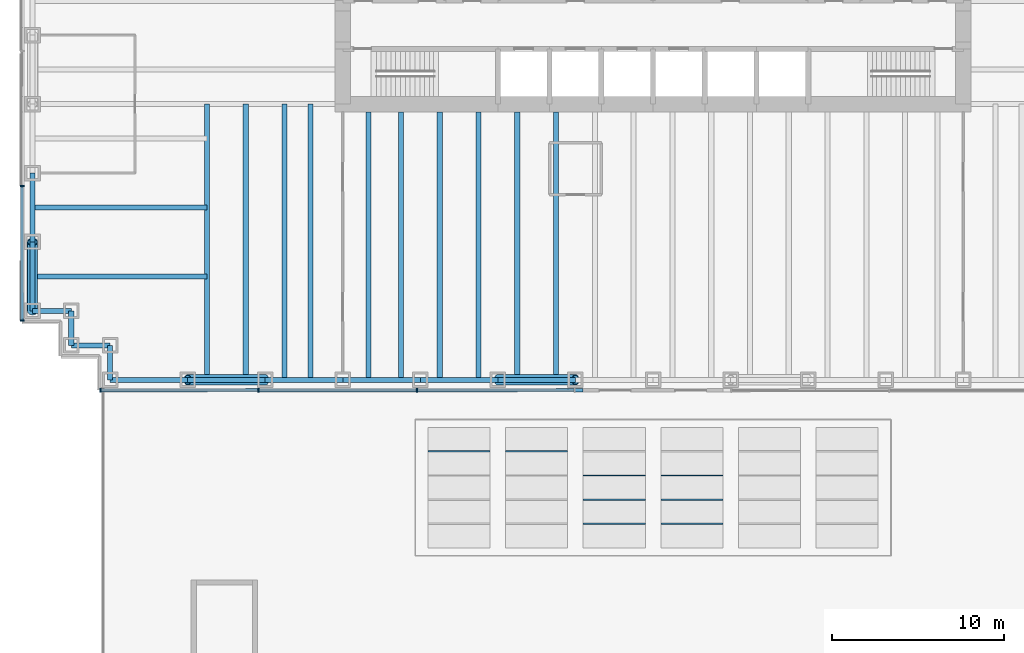
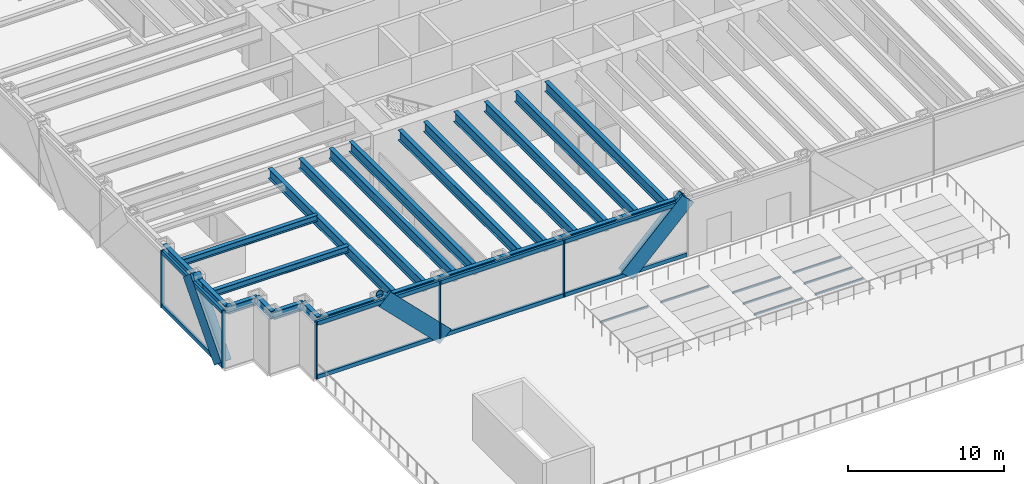
# One storey, part 2 of 15: 27 members, 24 beams, 2 elements without a shape of their own.
"""IFC4 building model written with IfcOpenShell, lengths in metres."""

from ifc_helpers import new_model, si_unit, direction, frame, origin, origin_2d, place, context, subcontext, project, spatial, rectangle, hollow_rectangle, hollow_circle, i_section, extrude, material, material_profile, profile_set, type_object, element, aggregate, save


model = new_model("IFC4")

# Units and contexts
model_context = context("Model", 3, precision=1e-05, world=origin(), true_north=direction((0.0, 1.0)))
body_context = subcontext(model_context, "Body", "Model", "MODEL_VIEW")
ifc_project = project(units=[si_unit("LENGTHUNIT", "METRE"), si_unit("AREAUNIT", "SQUARE_METRE"), si_unit("VOLUMEUNIT", "CUBIC_METRE"), si_unit("PLANEANGLEUNIT", "RADIAN"), si_unit("MASSUNIT", "GRAM", prefix="KILO")], contexts=[model_context])

# Site, building, storey
site_placement = place(None, origin())
site = spatial("IfcSite", under=ifc_project, at=site_placement, CompositionType="ELEMENT")
building_placement = place(site_placement, origin())
building = spatial("IfcBuilding", under=site, at=building_placement, Name="Rheinbord Bourse Tower", CompositionType="ELEMENT")
storey_placement = place(building_placement, frame((0.0, 0.0, 23.0)))
storey = spatial("IfcBuildingStorey", under=building, at=storey_placement, Name="L04", CompositionType="ELEMENT", Elevation=23.0)

# Curtain wall, members
ifc_material_1 = material(Name="Dark glass and black aluminium", Category="aluminium")
curtain_wall_type = type_object("IfcCurtainWallType", Name="CW1 DARK GLASS CURTAIN WALL", PredefinedType="USERDEFINED", material=ifc_material_1)
curtain_wall_1_placement = place(storey_placement, origin())
curtain_wall_1 = element("IfcCurtainWall", 1, at=curtain_wall_1_placement, inside=storey, type_object=curtain_wall_type, Name="Curtain wall CW1 S L04", ObjectType="UNITISED CURTAIN WALL", PredefinedType="USERDEFINED")
ifc_material_2 = material(Name="Black anodised aluminium", Category="aluminium")
ifc_material_profile_1 = material_profile(ifc_material_2, rectangle(XDim=0.179931640625, YDim=1.2099609375, at=origin_2d()), Name="CW1 DIAGONAL MULLION 1210x180")
ifc_profile_set_1 = profile_set([ifc_material_profile_1], Name="Black anodised aluminium")
member_type_1 = type_object("IfcMemberType", Name="CW1 BLACK DIAGONAL MULLION", PredefinedType="USERDEFINED", material=ifc_profile_set_1)
member_1_placement = place(storey_placement, frame((27.0, -0.60009765625, 0.0), z_axis=(0.707106781187, 0.0, 0.707106781187), x_axis=(0.0, 1.0, 0.0)))
member_1 = element("IfcMember", 2, at=member_1_placement, type_object=member_type_1, Name="CW1 diagonal mullion a", ObjectType="DIAGONAL MULLION", PredefinedType="USERDEFINED", context=body_context, shape_type="SweptSolid", body=[
    extrude(rectangle(XDim=0.179931640625, YDim=1.2099609375, at=origin_2d()), origin(), (0.0, 0.0, 1.0), 6.364013671875),
])
member_2_placement = place(storey_placement, frame((13.5, -0.60009765625, 0.0), z_axis=(-0.707106781187, 0.0, 0.707106781187), x_axis=(0.0, -1.0, 0.0)))
member_2 = element("IfcMember", 3, at=member_2_placement, type_object=member_type_1, Name="CW1 diagonal mullion d", ObjectType="DIAGONAL MULLION", PredefinedType="USERDEFINED", context=body_context, shape_type="SweptSolid", body=[
    extrude(rectangle(XDim=0.179931640625, YDim=1.2099609375, at=origin_2d()), origin(), (0.0, 0.0, 1.0), 6.364013671875),
])

# Curtain wall, member
curtain_wall_2_placement = place(storey_placement, origin())
curtain_wall_2 = element("IfcCurtainWall", 4, at=curtain_wall_2_placement, inside=storey, type_object=curtain_wall_type, Name="Curtain wall CW1 W L04", ObjectType="UNITISED CURTAIN WALL", PredefinedType="USERDEFINED")
member_3_placement = place(storey_placement, frame((-0.60009765625, 4.0, 0.0), z_axis=(0.0, 0.66436383883, 0.747409318684), x_axis=(-1.0, 0.0, 0.0)))
member_3 = element("IfcMember", 5, at=member_3_placement, type_object=member_type_1, Name="CW1 diagonal mullion d", ObjectType="DIAGONAL MULLION", PredefinedType="USERDEFINED", context=body_context, shape_type="SweptSolid", body=[
    extrude(rectangle(XDim=0.179931640625, YDim=1.2099609375, at=origin_2d()), origin(), (0.0, 0.0, 1.0), 6.020751953125),
])

# Member
ifc_material_3 = material(Name="Black anodised aluminium", Category="aluminium")
ifc_material_profile_2 = material_profile(ifc_material_3, rectangle(XDim=0.25, YDim=0.080078125, at=origin_2d()), Name="CW1 MULLION 80x250")
ifc_profile_set_2 = profile_set([ifc_material_profile_2], Name="Black anodised aluminium")
member_type_2 = type_object("IfcMemberType", Name="CW1 BLACK MULLION", PredefinedType="MULLION", material=ifc_profile_set_2)
member_4_placement = place(storey_placement, frame((3.93994140625, -0.60009765625, 0.0), z_axis=(0.0, 0.0, 1.0), x_axis=(0.0, 1.0, 0.0)))
member_4 = element("IfcMember", 6, at=member_4_placement, type_object=member_type_2, Name="CW1 mullion 1", PredefinedType="MULLION", context=body_context, shape_type="SweptSolid", body=[
    extrude(rectangle(XDim=0.25, YDim=0.080078125, at=origin_2d()), origin(), (0.0, 0.0, 1.0), 4.5),
])

member_5_placement = place(storey_placement, frame((13.10009765625, -0.60009765625, 0.0), z_axis=(0.0, 0.0, 1.0), x_axis=(0.0, 1.0, 0.0)))
member_5 = element("IfcMember", 7, at=member_5_placement, type_object=member_type_2, Name="CW1 mullion 2", PredefinedType="MULLION", context=body_context, shape_type="SweptSolid", body=[
    extrude(rectangle(XDim=0.25, YDim=0.080078125, at=origin_2d()), origin(), (0.0, 0.0, 1.0), 4.5),
])

member_6_placement = place(storey_placement, frame((22.300048828125, -0.60009765625, 0.0), z_axis=(0.0, 0.0, 1.0), x_axis=(0.0, 1.0, 0.0)))
member_6 = element("IfcMember", 8, at=member_6_placement, type_object=member_type_2, Name="CW1 mullion 3", PredefinedType="MULLION", context=body_context, shape_type="SweptSolid", body=[
    extrude(rectangle(XDim=0.25, YDim=0.080078125, at=origin_2d()), origin(), (0.0, 0.0, 1.0), 4.5),
])

member_7_placement = place(storey_placement, frame((-0.60009765625, 11.239990234375, 0.0), z_axis=(0.0, 0.0, 1.0), x_axis=(1.0, 0.0, 0.0)))
member_7 = element("IfcMember", 9, at=member_7_placement, type_object=member_type_2, Name="CW1 mullion 5", PredefinedType="MULLION", context=body_context, shape_type="SweptSolid", body=[
    extrude(rectangle(XDim=0.25, YDim=0.080078125, at=origin_2d()), origin(), (0.0, 0.0, 1.0), 4.5),
])

member_8_placement = place(storey_placement, frame((-0.60009765625, 3.43994140625, 0.0), z_axis=(0.0, 0.0, 1.0), x_axis=(1.0, 0.0, 0.0)))
member_8 = element("IfcMember", 10, at=member_8_placement, type_object=member_type_2, Name="CW1 mullion 6", PredefinedType="MULLION", context=body_context, shape_type="SweptSolid", body=[
    extrude(rectangle(XDim=0.25, YDim=0.080078125, at=origin_2d()), origin(), (0.0, 0.0, 1.0), 4.5),
])

ifc_material_4 = material(Name="Black anodised aluminium", Category="aluminium")
ifc_material_profile_3 = material_profile(ifc_material_4, rectangle(XDim=0.179931640625, YDim=0.300048828125, at=origin_2d()), Name="CW1 TRANSOM 300x180")
ifc_profile_set_3 = profile_set([ifc_material_profile_3], Name="Black anodised aluminium")
member_type_3 = type_object("IfcMemberType", Name="CW1 BLACK TRANSOM", PredefinedType="USERDEFINED", material=ifc_profile_set_3)
member_9_placement = place(storey_placement, frame((3.97998046875, -0.60009765625, 0.14990234375), z_axis=(1.0, 0.0, 0.0), x_axis=(0.0, 1.0, 0.0)))
member_9 = element("IfcMember", 11, at=member_9_placement, type_object=member_type_3, Name="CW1 transom 1.1", ObjectType="TRANSOM", PredefinedType="USERDEFINED", context=body_context, shape_type="SweptSolid", body=[
    extrude(rectangle(XDim=0.179931640625, YDim=0.300048828125, at=origin_2d()), origin(), (0.0, 0.0, 1.0), 9.080078125),
])

member_10_placement = place(storey_placement, frame((3.97998046875, -0.60009765625, 4.35009765625), z_axis=(1.0, 0.0, 0.0), x_axis=(0.0, 1.0, 0.0)))
member_10 = element("IfcMember", 12, at=member_10_placement, type_object=member_type_3, Name="CW1 transom 1.2", ObjectType="TRANSOM", PredefinedType="USERDEFINED", context=body_context, shape_type="SweptSolid", body=[
    extrude(rectangle(XDim=0.179931640625, YDim=0.300048828125, at=origin_2d()), origin(), (0.0, 0.0, 1.0), 9.080078125),
])

member_11_placement = place(storey_placement, frame((13.139892578125, -0.60009765625, 0.14990234375), z_axis=(1.0, 0.0, 0.0), x_axis=(0.0, 1.0, 0.0)))
member_11 = element("IfcMember", 13, at=member_11_placement, type_object=member_type_3, Name="CW1 transom 2.1", ObjectType="TRANSOM", PredefinedType="USERDEFINED", context=body_context, shape_type="SweptSolid", body=[
    extrude(rectangle(XDim=0.179931640625, YDim=0.300048828125, at=origin_2d()), origin(), (0.0, 0.0, 1.0), 9.1201171875),
])

member_12_placement = place(storey_placement, frame((13.139892578125, -0.60009765625, 4.35009765625), z_axis=(1.0, 0.0, 0.0), x_axis=(0.0, 1.0, 0.0)))
member_12 = element("IfcMember", 14, at=member_12_placement, type_object=member_type_3, Name="CW1 transom 2.2", ObjectType="TRANSOM", PredefinedType="USERDEFINED", context=body_context, shape_type="SweptSolid", body=[
    extrude(rectangle(XDim=0.179931640625, YDim=0.300048828125, at=origin_2d()), origin(), (0.0, 0.0, 1.0), 9.1201171875),
])

member_13_placement = place(storey_placement, frame((22.340087890625, -0.60009765625, 0.14990234375), z_axis=(1.0, 0.0, 0.0), x_axis=(0.0, 1.0, 0.0)))
member_13 = element("IfcMember", 15, at=member_13_placement, type_object=member_type_3, Name="CW1 transom 3.1", ObjectType="TRANSOM", PredefinedType="USERDEFINED", context=body_context, shape_type="SweptSolid", body=[
    extrude(rectangle(XDim=0.179931640625, YDim=0.300048828125, at=origin_2d()), origin(), (0.0, 0.0, 1.0), 9.079833984375),
])

member_14_placement = place(storey_placement, frame((22.340087890625, -0.60009765625, 4.35009765625), z_axis=(1.0, 0.0, 0.0), x_axis=(0.0, 1.0, 0.0)))
member_14 = element("IfcMember", 16, at=member_14_placement, type_object=member_type_3, Name="CW1 transom 3.2", ObjectType="TRANSOM", PredefinedType="USERDEFINED", context=body_context, shape_type="SweptSolid", body=[
    extrude(rectangle(XDim=0.179931640625, YDim=0.300048828125, at=origin_2d()), origin(), (0.0, 0.0, 1.0), 9.079833984375),
])

aggregate(curtain_wall_1, [member_4, member_5, member_6, member_9, member_10, member_11, member_12, member_13, member_14, member_1, member_2])

member_15_placement = place(storey_placement, frame((-0.60009765625, 11.199951171875, 0.14990234375), z_axis=(0.0, -1.0, 0.0), x_axis=(1.0, 0.0, 0.0)))
member_15 = element("IfcMember", 17, at=member_15_placement, type_object=member_type_3, Name="CW1 transom 5.1", ObjectType="TRANSOM", PredefinedType="USERDEFINED", context=body_context, shape_type="SweptSolid", body=[
    extrude(rectangle(XDim=0.179931640625, YDim=0.300048828125, at=origin_2d()), origin(), (0.0, 0.0, 1.0), 7.719970703125),
])

member_16_placement = place(storey_placement, frame((-0.60009765625, 11.199951171875, 4.35009765625), z_axis=(0.0, -1.0, 0.0), x_axis=(1.0, 0.0, 0.0)))
member_16 = element("IfcMember", 18, at=member_16_placement, type_object=member_type_3, Name="CW1 transom 5.2", ObjectType="TRANSOM", PredefinedType="USERDEFINED", context=body_context, shape_type="SweptSolid", body=[
    extrude(rectangle(XDim=0.179931640625, YDim=0.300048828125, at=origin_2d()), origin(), (0.0, 0.0, 1.0), 7.719970703125),
])

aggregate(curtain_wall_2, [member_7, member_8, member_15, member_16, member_3])

# Beams
ifc_material_5 = material(Name="Steel S460", Category="steel")
ifc_material_profile_4 = material_profile(ifc_material_5, i_section(OverallWidth=0.300048828125, OverallDepth=0.800048828125, WebThickness=0.017578125, FlangeThickness=0.032958984375, at=origin_2d()), Name="HEB 800")
ifc_profile_set_4 = profile_set([ifc_material_profile_4], Name="Steel S460")
beam_type_1 = type_object("IfcBeamType", Name="FLOOR BEAM HEB 800", PredefinedType="BEAM", material=ifc_profile_set_4)
for number, where, z_axis, x_axis, name in (
    (19, (10.125, 0.0, 3.919921875), (0.0, 1.0, 0.0), (-1.0, 0.0, 0.0), "Floor beam S-9a L05"),
    (20, (12.375, 0.0, 3.919921875), (0.0, 1.0, 0.0), (-1.0, 0.0, 0.0), "Floor beam S-9b L05"),
    (21, (14.625, 0.0, 3.919921875), (0.0, 1.0, 0.0), (-1.0, 0.0, 0.0), "Floor beam S-13.5a L05"),
    (22, (16.125, 0.0, 3.919921875), (0.0, 1.0, 0.0), (-1.0, 0.0, 0.0), "Floor beam S-13.5b L05"),
):
    element("IfcBeam", number, at=place(storey_placement, frame(where, z_axis=z_axis, x_axis=x_axis)), inside=storey, type_object=beam_type_1, Name=name, PredefinedType="BEAM", context=body_context, shape_type="SweptSolid", body=[
        extrude(i_section(OverallWidth=0.300048828125, OverallDepth=0.800048828125, WebThickness=0.017578125, FlangeThickness=0.032958984375, at=origin_2d()), origin(), (0.0, 0.0, 1.0), 16.0),
    ])
for number, where, z_axis, x_axis, name in (
    (23, (19.5, 0.0, 3.919921875), (0.0, 1.0, 0.0), (-1.0, 0.0, 0.0), "Floor beam S-18a L05"),
    (24, (21.375, 0.0, 3.919921875), (0.0, 1.0, 0.0), (-1.0, 0.0, 0.0), "Floor beam S-18b L05"),
    (25, (23.625, 0.0, 3.919921875), (0.0, 1.0, 0.0), (-1.0, 0.0, 0.0), "Floor beam S-22.5a L05"),
    (26, (25.875, 0.0, 3.919921875), (0.0, 1.0, 0.0), (-1.0, 0.0, 0.0), "Floor beam S-22.5b L05"),
    (27, (28.125, 0.0, 3.919921875), (0.0, 1.0, 0.0), (-1.0, 0.0, 0.0), "Floor beam S-27a L05"),
    (28, (30.375, 0.0, 3.919921875), (0.0, 1.0, 0.0), (-1.0, 0.0, 0.0), "Floor beam S-27b L05"),
):
    element("IfcBeam", number, at=place(storey_placement, frame(where, z_axis=z_axis, x_axis=x_axis)), inside=storey, type_object=beam_type_1, Name=name, PredefinedType="BEAM", context=body_context, shape_type="SweptSolid", body=[
        extrude(i_section(OverallWidth=0.300048828125, OverallDepth=0.800048828125, WebThickness=0.017578125, FlangeThickness=0.032958984375, at=origin_2d()), origin(), (0.0, 0.0, 1.0), 15.550048828125),
    ])

# Members
ifc_material_6 = material(Name="Steel S460", Category="steel")
ifc_material_profile_5 = material_profile(ifc_material_6, hollow_rectangle(XDim=0.080078125, YDim=0.1201171875, WallThickness=0.00634765625, at=origin_2d()), Name="RHS 120x80x6.3")
ifc_profile_set_5 = profile_set([ifc_material_profile_5], Name="Steel S460")
member_type_4 = type_object("IfcMemberType", Name="GLAZING BEAM RHS 120x80x6.3", PredefinedType="PURLIN", material=ifc_profile_set_5)
for number, where, z_axis, x_axis, name in (
    (29, (22.949951171875, -4.14990234375, -0.110107421875), (1.0, 0.0, 0.0), (0.0, 1.0, 0.0), "Glazing beam 1-4"),
    (30, (27.449951171875, -4.14990234375, -0.110107421875), (1.0, 0.0, 0.0), (0.0, 1.0, 0.0), "Glazing beam 2-4"),
    (31, (31.949951171875, -8.35009765625, -0.110107421875), (1.0, 0.0, 0.0), (0.0, 1.0, 0.0), "Glazing beam 3-1"),
    (32, (31.949951171875, -6.949951171875, -0.110107421875), (1.0, 0.0, 0.0), (0.0, 1.0, 0.0), "Glazing beam 3-2"),
    (33, (31.949951171875, -5.550048828125, -0.110107421875), (1.0, 0.0, 0.0), (0.0, 1.0, 0.0), "Glazing beam 3-3"),
    (34, (36.449951171875, -8.35009765625, -0.110107421875), (1.0, 0.0, 0.0), (0.0, 1.0, 0.0), "Glazing beam 4-1"),
    (35, (36.449951171875, -6.949951171875, -0.110107421875), (1.0, 0.0, 0.0), (0.0, 1.0, 0.0), "Glazing beam 4-2"),
    (36, (36.449951171875, -5.550048828125, -0.110107421875), (1.0, 0.0, 0.0), (0.0, 1.0, 0.0), "Glazing beam 4-3"),
):
    element("IfcMember", number, at=place(storey_placement, frame(where, z_axis=z_axis, x_axis=x_axis)), inside=storey, type_object=member_type_4, Name=name, PredefinedType="PURLIN", context=body_context, shape_type="SweptSolid", body=[
        extrude(hollow_rectangle(XDim=0.080078125, YDim=0.1201171875, WallThickness=0.00634765625, at=origin_2d()), origin(), (0.0, 0.0, 1.0), 3.60009765625),
    ])
ifc_material_7 = material(Name="Steel S460", Category="steel")
ifc_material_profile_6 = material_profile(ifc_material_7, hollow_circle(Radius=0.304931640625, WallThickness=0.050048828125, at=origin_2d()), Name="CHS 610x50")
ifc_profile_set_6 = profile_set([ifc_material_profile_6], Name="Steel S460")
member_type_5 = type_object("IfcMemberType", Name="MEGABRACE CHS 610x50", PredefinedType="BRACE", material=ifc_profile_set_6)
for number, where, z_axis, x_axis, name in (
    (37, (27.0, 0.0, 0.0), (0.707106781187, 0.0, 0.707106781187), (0.0, 1.0, 0.0), "Megabrace S face line a L04"),
    (38, (13.5, 0.0, 0.0), (-0.707106781187, 0.0, 0.707106781187), (0.0, -1.0, 0.0), "Megabrace S face line d L04"),
):
    element("IfcMember", number, at=place(storey_placement, frame(where, z_axis=z_axis, x_axis=x_axis)), inside=storey, type_object=member_type_5, Name=name, PredefinedType="BRACE", context=body_context, shape_type="SweptSolid", body=[
        extrude(hollow_circle(Radius=0.304931640625, WallThickness=0.050048828125, at=origin_2d()), origin(), (0.0, 0.0, 1.0), 6.364013671875),
    ])
member_17_placement = place(storey_placement, frame((0.0, 4.0, 0.0), z_axis=(0.0, 0.66436383883, 0.747409318684), x_axis=(-1.0, 0.0, 0.0)))
element("IfcMember", 39, at=member_17_placement, inside=storey, type_object=member_type_5, Name="Megabrace W face line d L04", PredefinedType="BRACE", context=body_context, shape_type="SweptSolid", body=[
    extrude(hollow_circle(Radius=0.304931640625, WallThickness=0.050048828125, at=origin_2d()), origin(), (0.0, 0.0, 1.0), 6.020751953125),
])

# Beams
ifc_material_8 = material(Name="Steel S460", Category="steel")
ifc_material_profile_7 = material_profile(ifc_material_8, i_section(OverallWidth=0.304931640625, OverallDepth=0.6201171875, WebThickness=0.02099609375, FlangeThickness=0.0400390625, at=origin_2d()), Name="HEM 600")
ifc_profile_set_7 = profile_set([ifc_material_profile_7], Name="Steel S460")
beam_type_2 = type_object("IfcBeamType", Name="SPANDREL HEM 600", PredefinedType="SPANDREL", material=ifc_profile_set_7)
for number, where, z_axis, x_axis, name in (
    (40, (4.5, 0.0, 4.010009765625), (1.0, 0.0, 0.0), (0.0, 1.0, 0.0), "Spandrel SW-E-S-9 under L05"),
    (41, (9.0, 0.0, 4.010009765625), (1.0, 0.0, 0.0), (0.0, 1.0, 0.0), "Spandrel S-9-S-13.5 under L05"),
    (42, (13.5, 0.0, 4.010009765625), (1.0, 0.0, 0.0), (0.0, 1.0, 0.0), "Spandrel S-13.5-S-18 under L05"),
    (43, (18.0, 0.0, 4.010009765625), (1.0, 0.0, 0.0), (0.0, 1.0, 0.0), "Spandrel S-18-S-22.5 under L05"),
    (44, (22.5, 0.0, 4.010009765625), (1.0, 0.0, 0.0), (0.0, 1.0, 0.0), "Spandrel S-22.5-S-27 under L05"),
    (45, (27.0, 0.0, 4.010009765625), (1.0, 0.0, 0.0), (0.0, 1.0, 0.0), "Spandrel S-27-S-31.5 under L05"),
):
    element("IfcBeam", number, at=place(storey_placement, frame(where, z_axis=z_axis, x_axis=x_axis)), inside=storey, type_object=beam_type_2, Name=name, PredefinedType="SPANDREL", context=body_context, shape_type="SweptSolid", body=[
        extrude(i_section(OverallWidth=0.304931640625, OverallDepth=0.6201171875, WebThickness=0.02099609375, FlangeThickness=0.0400390625, at=origin_2d()), origin(), (0.0, 0.0, 1.0), 4.5),
    ])
for number, where, z_axis, x_axis, name in (
    (46, (0.0, 12.0, 4.010009765625), (0.0, -1.0, 0.0), (1.0, 0.0, 0.0), "Spandrel W-12-W-8 under L05"),
    (47, (0.0, 8.0, 4.010009765625), (0.0, -1.0, 0.0), (1.0, 0.0, 0.0), "Spandrel W-8-SW-A under L05"),
):
    element("IfcBeam", number, at=place(storey_placement, frame(where, z_axis=z_axis, x_axis=x_axis)), inside=storey, type_object=beam_type_2, Name=name, PredefinedType="SPANDREL", context=body_context, shape_type="SweptSolid", body=[
        extrude(i_section(OverallWidth=0.304931640625, OverallDepth=0.6201171875, WebThickness=0.02099609375, FlangeThickness=0.0400390625, at=origin_2d()), origin(), (0.0, 0.0, 1.0), 4.0),
    ])
beam_1_placement = place(storey_placement, frame((0.0, 4.0, 4.010009765625), z_axis=(1.0, 0.0, 0.0), x_axis=(0.0, 1.0, 0.0)))
element("IfcBeam", 48, at=beam_1_placement, inside=storey, type_object=beam_type_2, Name="Spandrel SW-A-SW-B under L05", PredefinedType="SPANDREL", context=body_context, shape_type="SweptSolid", body=[
    extrude(i_section(OverallWidth=0.304931640625, OverallDepth=0.6201171875, WebThickness=0.02099609375, FlangeThickness=0.0400390625, at=origin_2d()), origin(), (0.0, 0.0, 1.0), 2.25),
])
beam_2_placement = place(storey_placement, frame((2.25, 4.0, 4.010009765625), z_axis=(0.0, -1.0, 0.0), x_axis=(1.0, 0.0, 0.0)))
element("IfcBeam", 49, at=beam_2_placement, inside=storey, type_object=beam_type_2, Name="Spandrel SW-B-SW-C under L05", PredefinedType="SPANDREL", context=body_context, shape_type="SweptSolid", body=[
    extrude(i_section(OverallWidth=0.304931640625, OverallDepth=0.6201171875, WebThickness=0.02099609375, FlangeThickness=0.0400390625, at=origin_2d()), origin(), (0.0, 0.0, 1.0), 2.0),
])
beam_3_placement = place(storey_placement, frame((2.25, 2.0, 4.010009765625), z_axis=(1.0, 0.0, 0.0), x_axis=(0.0, 1.0, 0.0)))
element("IfcBeam", 50, at=beam_3_placement, inside=storey, type_object=beam_type_2, Name="Spandrel SW-C-SW-D under L05", PredefinedType="SPANDREL", context=body_context, shape_type="SweptSolid", body=[
    extrude(i_section(OverallWidth=0.304931640625, OverallDepth=0.6201171875, WebThickness=0.02099609375, FlangeThickness=0.0400390625, at=origin_2d()), origin(), (0.0, 0.0, 1.0), 2.25),
])
beam_4_placement = place(storey_placement, frame((4.5, 2.0, 4.010009765625), z_axis=(0.0, -1.0, 0.0), x_axis=(1.0, 0.0, 0.0)))
element("IfcBeam", 51, at=beam_4_placement, inside=storey, type_object=beam_type_2, Name="Spandrel SW-D-SW-E under L05", PredefinedType="SPANDREL", context=body_context, shape_type="SweptSolid", body=[
    extrude(i_section(OverallWidth=0.304931640625, OverallDepth=0.6201171875, WebThickness=0.02099609375, FlangeThickness=0.0400390625, at=origin_2d()), origin(), (0.0, 0.0, 1.0), 2.0),
])
ifc_material_9 = material(Name="Steel S460", Category="steel")
ifc_material_profile_8 = material_profile(ifc_material_9, i_section(OverallWidth=0.300048828125, OverallDepth=0.5, WebThickness=0.014404296875, FlangeThickness=0.028076171875, at=origin_2d()), Name="HEB 500")
ifc_profile_set_8 = profile_set([ifc_material_profile_8], Name="Steel S460")
beam_type_3 = type_object("IfcBeamType", Name="TIE BEAM HEB 500", PredefinedType="JOIST", material=ifc_profile_set_8)
for number, where, z_axis, x_axis, name in (
    (52, (0.0, 6.0, 4.070068359375), (1.0, 0.0, 0.0), (0.0, 1.0, 0.0), "Tie west 6 L05"),
    (53, (0.0, 10.0, 4.070068359375), (1.0, 0.0, 0.0), (0.0, 1.0, 0.0), "Tie west 10 L05"),
):
    element("IfcBeam", number, at=place(storey_placement, frame(where, z_axis=z_axis, x_axis=x_axis)), inside=storey, type_object=beam_type_3, Name=name, PredefinedType="JOIST", context=body_context, shape_type="SweptSolid", body=[
        extrude(i_section(OverallWidth=0.300048828125, OverallDepth=0.5, WebThickness=0.014404296875, FlangeThickness=0.028076171875, at=origin_2d()), origin(), (0.0, 0.0, 1.0), 10.125),
    ])

save(model, "model.ifc")
